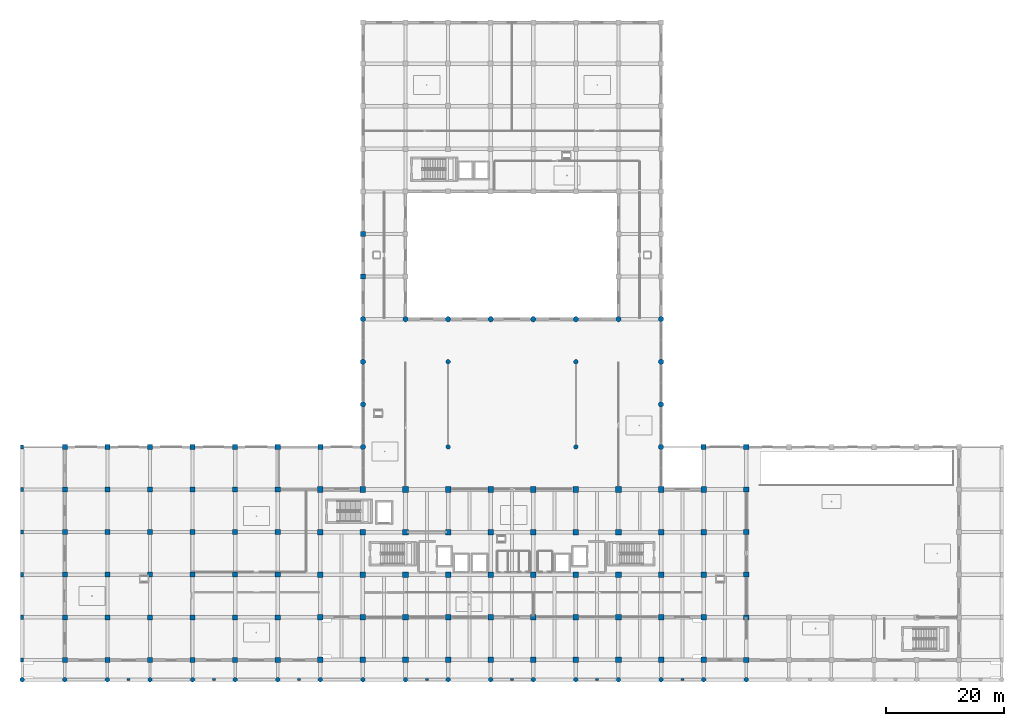
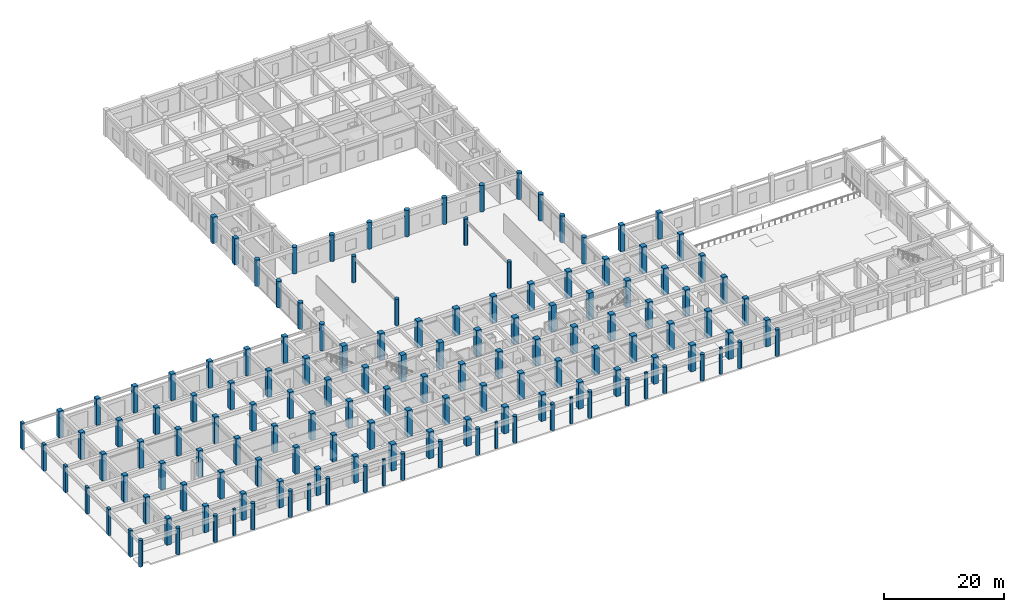
# One storey, part 1 of 56: 145 columns.
"""IFC4 building model written with IfcOpenShell, lengths in metres."""

from ifc_helpers import new_model, si_unit, direction, frame, origin, origin_2d, place, context, subcontext, project, spatial, rectangle, circle, extrude, material, material_profile, profile_set, type_object, element, save


model = new_model("IFC4")

# Units and contexts
model_context = context("Model", 3, precision=1e-05, world=origin(), true_north=direction((0.0, 1.0)))
body_context = subcontext(model_context, "Body", "Model", "MODEL_VIEW")
ifc_project = project(units=[si_unit("LENGTHUNIT", "METRE"), si_unit("AREAUNIT", "SQUARE_METRE"), si_unit("VOLUMEUNIT", "CUBIC_METRE"), si_unit("PLANEANGLEUNIT", "RADIAN"), si_unit("MASSUNIT", "GRAM", prefix="KILO")], contexts=[model_context])

# Site, building, storey
site_placement = place(None, origin())
site = spatial("IfcSite", under=ifc_project, at=site_placement, CompositionType="ELEMENT")
building_placement = place(site_placement, origin())
building = spatial("IfcBuilding", under=site, at=building_placement, Name="Kazehaya Institute of Natural Sciences", CompositionType="ELEMENT")
storey_placement = place(building_placement, origin())
storey = spatial("IfcBuildingStorey", under=building, at=storey_placement, Name="L00", CompositionType="ELEMENT", Elevation=0.0)

# Columns
ifc_material_1 = material(Name="Concrete Fc36", Category="concrete")
ifc_material_profile_1 = material_profile(ifc_material_1, circle(Radius=0.375, at=origin_2d()), Name="RC-DIA750")
ifc_profile_set_1 = profile_set([ifc_material_profile_1], Name="Concrete Fc36")
column_type_1 = type_object("IfcColumnType", Name="COL-DIA750", PredefinedType="COLUMN", material=ifc_profile_set_1)
for number, where, z_axis, x_axis, name in (
    (1, (4.199951171875, 3.449951171875, 0.0), (0.0, 0.0, 1.0), (1.0, 0.0, 0.0), "L00 column COL-L00-0241"),
    (2, (11.39990234375, 3.449951171875, 0.0), (0.0, 0.0, 1.0), (1.0, 0.0, 0.0), "L00 column COL-L00-0242"),
    (3, (18.60009765625, 3.449951171875, 0.0), (0.0, 0.0, 1.0), (1.0, 0.0, 0.0), "L00 column COL-L00-0243"),
    (4, (25.800048828125, 3.449951171875, 0.0), (0.0, 0.0, 1.0), (1.0, 0.0, 0.0), "L00 column COL-L00-0244"),
    (5, (33.0, 3.449951171875, 0.0), (0.0, 0.0, 1.0), (1.0, 0.0, 0.0), "L00 column COL-L00-0245"),
    (6, (40.199951171875, 3.449951171875, 0.0), (0.0, 0.0, 1.0), (1.0, 0.0, 0.0), "L00 column COL-L00-0246"),
    (7, (47.39990234375, 3.449951171875, 0.0), (0.0, 0.0, 1.0), (1.0, 0.0, 0.0), "L00 column COL-L00-0247"),
    (8, (54.60009765625, 3.449951171875, 0.0), (0.0, 0.0, 1.0), (1.0, 0.0, 0.0), "L00 column COL-L00-0248"),
    (9, (61.800048828125, 3.449951171875, 0.0), (0.0, 0.0, 1.0), (1.0, 0.0, 0.0), "L00 column COL-L00-0249"),
    (10, (69.0, 3.449951171875, 0.0), (0.0, 0.0, 1.0), (1.0, 0.0, 0.0), "L00 column COL-L00-0250"),
    (11, (76.199951171875, 3.449951171875, 0.0), (0.0, 0.0, 1.0), (1.0, 0.0, 0.0), "L00 column COL-L00-0251"),
    (12, (83.39990234375, 3.449951171875, 0.0), (0.0, 0.0, 1.0), (1.0, 0.0, 0.0), "L00 column COL-L00-0252"),
    (13, (90.60009765625, 3.449951171875, 0.0), (0.0, 0.0, 1.0), (1.0, 0.0, 0.0), "L00 column COL-L00-0253"),
    (14, (97.800048828125, 3.449951171875, 0.0), (0.0, 0.0, 1.0), (1.0, 0.0, 0.0), "L00 column COL-L00-0254"),
    (15, (105.0, 3.449951171875, 0.0), (0.0, 0.0, 1.0), (1.0, 0.0, 0.0), "L00 column COL-L00-0255"),
    (16, (112.199951171875, 3.449951171875, 0.0), (0.0, 0.0, 1.0), (1.0, 0.0, 0.0), "L00 column COL-L00-0256"),
    (17, (119.39990234375, 3.449951171875, 0.0), (0.0, 0.0, 1.0), (1.0, 0.0, 0.0), "L00 column COL-L00-0257"),
    (18, (126.60009765625, 3.449951171875, 0.0), (0.0, 0.0, 1.0), (1.0, 0.0, 0.0), "L00 column COL-L00-0258"),
    (19, (76.199951171875, 42.800048828125, 0.0), (0.0, 0.0, 1.0), (1.0, 0.0, 0.0), "L00 atrium gallery column 1365"),
    (20, (76.199951171875, 57.199951171875, 0.0), (0.0, 0.0, 1.0), (1.0, 0.0, 0.0), "L00 atrium gallery column 1366"),
    (21, (97.800048828125, 42.800048828125, 0.0), (0.0, 0.0, 1.0), (1.0, 0.0, 0.0), "L00 atrium gallery column 1367"),
    (22, (97.800048828125, 57.199951171875, 0.0), (0.0, 0.0, 1.0), (1.0, 0.0, 0.0), "L00 atrium gallery column 1368"),
):
    element("IfcColumn", number, at=place(storey_placement, frame(where, z_axis=z_axis, x_axis=x_axis)), inside=storey, type_object=column_type_1, Name=name, PredefinedType="COLUMN", context=body_context, shape_type="SweptSolid", body=[
        extrude(circle(Radius=0.375, at=origin_2d()), origin(), (0.0, 0.0, 1.0), 5.39990234375),
    ])
ifc_material_2 = material(Name="Concrete Fc42", Category="concrete")
ifc_material_profile_2 = material_profile(ifc_material_2, circle(Radius=0.449951171875, at=origin_2d()), Name="RC-DIA900")
ifc_profile_set_2 = profile_set([ifc_material_profile_2], Name="Concrete Fc42")
column_type_2 = type_object("IfcColumnType", Name="COL-DIA900", PredefinedType="COLUMN", material=ifc_profile_set_2)
for number, where, z_axis, x_axis, name in (
    (23, (61.800048828125, 42.800048828125, 0.0), (0.0, 0.0, 1.0), (1.0, 0.0, 0.0), "L00 column COL-L00-0381"),
    (24, (112.199951171875, 42.800048828125, 0.0), (0.0, 0.0, 1.0), (1.0, 0.0, 0.0), "L00 column COL-L00-0382"),
    (25, (61.800048828125, 50.0, 0.0), (0.0, 0.0, 1.0), (1.0, 0.0, 0.0), "L00 column COL-L00-0391"),
    (26, (112.199951171875, 50.0, 0.0), (0.0, 0.0, 1.0), (1.0, 0.0, 0.0), "L00 column COL-L00-0392"),
    (27, (61.800048828125, 57.199951171875, 0.0), (0.0, 0.0, 1.0), (1.0, 0.0, 0.0), "L00 column COL-L00-0393"),
    (28, (112.199951171875, 57.199951171875, 0.0), (0.0, 0.0, 1.0), (1.0, 0.0, 0.0), "L00 column COL-L00-0394"),
    (29, (61.800048828125, 64.39990234375, 0.0), (0.0, 0.0, 1.0), (1.0, 0.0, 0.0), "L00 column COL-L00-0395"),
    (30, (69.0, 64.39990234375, 0.0), (0.0, 0.0, 1.0), (1.0, 0.0, 0.0), "L00 column COL-L00-0396"),
    (31, (76.199951171875, 64.39990234375, 0.0), (0.0, 0.0, 1.0), (1.0, 0.0, 0.0), "L00 column COL-L00-0397"),
    (32, (83.39990234375, 64.39990234375, 0.0), (0.0, 0.0, 1.0), (1.0, 0.0, 0.0), "L00 column COL-L00-0398"),
    (33, (90.60009765625, 64.39990234375, 0.0), (0.0, 0.0, 1.0), (1.0, 0.0, 0.0), "L00 column COL-L00-0399"),
    (34, (97.800048828125, 64.39990234375, 0.0), (0.0, 0.0, 1.0), (1.0, 0.0, 0.0), "L00 column COL-L00-0400"),
    (35, (105.0, 64.39990234375, 0.0), (0.0, 0.0, 1.0), (1.0, 0.0, 0.0), "L00 column COL-L00-0401"),
    (36, (112.199951171875, 64.39990234375, 0.0), (0.0, 0.0, 1.0), (1.0, 0.0, 0.0), "L00 column COL-L00-0402"),
):
    element("IfcColumn", number, at=place(storey_placement, frame(where, z_axis=z_axis, x_axis=x_axis)), inside=storey, type_object=column_type_2, Name=name, PredefinedType="COLUMN", context=body_context, shape_type="SweptSolid", body=[
        extrude(circle(Radius=0.449951171875, at=origin_2d()), origin(), (0.0, 0.0, 1.0), 5.39990234375),
    ])
ifc_material_profile_3 = material_profile(ifc_material_1, rectangle(XDim=0.5, YDim=0.699951171875, at=origin_2d()), Name="RC-700x500")
ifc_profile_set_3 = profile_set([ifc_material_profile_3], Name="Concrete Fc36")
column_type_3 = type_object("IfcColumnType", Name="COL-RC700x500", PredefinedType="COLUMN", material=ifc_profile_set_3)
for number, where, z_axis, x_axis, name in (
    (37, (4.199951171875, 6.800048828125, 0.0), (0.0, 0.0, 1.0), (1.0, 0.0, 0.0), "L00 column COL-L00-0265"),
    (38, (4.199951171875, 14.0, 0.0), (0.0, 0.0, 1.0), (1.0, 0.0, 0.0), "L00 column COL-L00-0289"),
    (39, (4.199951171875, 21.199951171875, 0.0), (0.0, 0.0, 1.0), (1.0, 0.0, 0.0), "L00 column COL-L00-0313"),
    (40, (4.199951171875, 28.39990234375, 0.0), (0.0, 0.0, 1.0), (1.0, 0.0, 0.0), "L00 column COL-L00-0333"),
    (41, (4.199951171875, 35.60009765625, 0.0), (0.0, 0.0, 1.0), (1.0, 0.0, 0.0), "L00 column COL-L00-0353"),
    (42, (4.199951171875, 42.800048828125, 0.0), (0.0, 0.0, 1.0), (1.0, 0.0, 0.0), "L00 column COL-L00-0373"),
):
    element("IfcColumn", number, at=place(storey_placement, frame(where, z_axis=z_axis, x_axis=x_axis)), inside=storey, type_object=column_type_3, Name=name, PredefinedType="COLUMN", context=body_context, shape_type="SweptSolid", body=[
        extrude(rectangle(XDim=0.5, YDim=0.699951171875, at=origin_2d()), origin(), (0.0, 0.0, 1.0), 5.39990234375),
    ])
ifc_material_profile_4 = material_profile(ifc_material_2, rectangle(XDim=0.85009765625, YDim=0.85009765625, at=origin_2d()), Name="RC-850x850")
ifc_profile_set_4 = profile_set([ifc_material_profile_4], Name="Concrete Fc42")
column_type_4 = type_object("IfcColumnType", Name="COL-RC850", PredefinedType="COLUMN", material=ifc_profile_set_4)
for number, where, z_axis, x_axis, name in (
    (43, (11.39990234375, 6.800048828125, 0.0), (0.0, 0.0, 1.0), (1.0, 0.0, 0.0), "L00 column COL-L00-0266"),
    (44, (18.60009765625, 6.800048828125, 0.0), (0.0, 0.0, 1.0), (1.0, 0.0, 0.0), "L00 column COL-L00-0267"),
    (45, (25.800048828125, 6.800048828125, 0.0), (0.0, 0.0, 1.0), (1.0, 0.0, 0.0), "L00 column COL-L00-0268"),
    (46, (33.0, 6.800048828125, 0.0), (0.0, 0.0, 1.0), (1.0, 0.0, 0.0), "L00 column COL-L00-0269"),
    (47, (40.199951171875, 6.800048828125, 0.0), (0.0, 0.0, 1.0), (1.0, 0.0, 0.0), "L00 column COL-L00-0270"),
    (48, (47.39990234375, 6.800048828125, 0.0), (0.0, 0.0, 1.0), (1.0, 0.0, 0.0), "L00 column COL-L00-0271"),
    (49, (126.60009765625, 6.800048828125, 0.0), (0.0, 0.0, 1.0), (1.0, 0.0, 0.0), "L00 column COL-L00-0282"),
    (50, (11.39990234375, 14.0, 0.0), (0.0, 0.0, 1.0), (1.0, 0.0, 0.0), "L00 column COL-L00-0290"),
    (51, (18.60009765625, 14.0, 0.0), (0.0, 0.0, 1.0), (1.0, 0.0, 0.0), "L00 column COL-L00-0291"),
    (52, (25.800048828125, 14.0, 0.0), (0.0, 0.0, 1.0), (1.0, 0.0, 0.0), "L00 column COL-L00-0292"),
    (53, (33.0, 14.0, 0.0), (0.0, 0.0, 1.0), (1.0, 0.0, 0.0), "L00 column COL-L00-0293"),
    (54, (40.199951171875, 14.0, 0.0), (0.0, 0.0, 1.0), (1.0, 0.0, 0.0), "L00 column COL-L00-0294"),
    (55, (47.39990234375, 14.0, 0.0), (0.0, 0.0, 1.0), (1.0, 0.0, 0.0), "L00 column COL-L00-0295"),
    (56, (126.60009765625, 14.0, 0.0), (0.0, 0.0, 1.0), (1.0, 0.0, 0.0), "L00 column COL-L00-0306"),
    (57, (11.39990234375, 21.199951171875, 0.0), (0.0, 0.0, 1.0), (1.0, 0.0, 0.0), "L00 column COL-L00-0314"),
    (58, (18.60009765625, 21.199951171875, 0.0), (0.0, 0.0, 1.0), (1.0, 0.0, 0.0), "L00 column COL-L00-0315"),
    (59, (25.800048828125, 21.199951171875, 0.0), (0.0, 0.0, 1.0), (1.0, 0.0, 0.0), "L00 column COL-L00-0316"),
    (60, (33.0, 21.199951171875, 0.0), (0.0, 0.0, 1.0), (1.0, 0.0, 0.0), "L00 column COL-L00-0317"),
    (61, (40.199951171875, 21.199951171875, 0.0), (0.0, 0.0, 1.0), (1.0, 0.0, 0.0), "L00 column COL-L00-0318"),
    (62, (47.39990234375, 21.199951171875, 0.0), (0.0, 0.0, 1.0), (1.0, 0.0, 0.0), "L00 column COL-L00-0319"),
    (63, (126.60009765625, 21.199951171875, 0.0), (0.0, 0.0, 1.0), (1.0, 0.0, 0.0), "L00 column COL-L00-0330"),
    (64, (11.39990234375, 28.39990234375, 0.0), (0.0, 0.0, 1.0), (1.0, 0.0, 0.0), "L00 column COL-L00-0334"),
    (65, (18.60009765625, 28.39990234375, 0.0), (0.0, 0.0, 1.0), (1.0, 0.0, 0.0), "L00 column COL-L00-0335"),
    (66, (25.800048828125, 28.39990234375, 0.0), (0.0, 0.0, 1.0), (1.0, 0.0, 0.0), "L00 column COL-L00-0336"),
    (67, (33.0, 28.39990234375, 0.0), (0.0, 0.0, 1.0), (1.0, 0.0, 0.0), "L00 column COL-L00-0337"),
    (68, (40.199951171875, 28.39990234375, 0.0), (0.0, 0.0, 1.0), (1.0, 0.0, 0.0), "L00 column COL-L00-0338"),
    (69, (47.39990234375, 28.39990234375, 0.0), (0.0, 0.0, 1.0), (1.0, 0.0, 0.0), "L00 column COL-L00-0339"),
    (70, (126.60009765625, 28.39990234375, 0.0), (0.0, 0.0, 1.0), (1.0, 0.0, 0.0), "L00 column COL-L00-0350"),
    (71, (11.39990234375, 35.60009765625, 0.0), (0.0, 0.0, 1.0), (1.0, 0.0, 0.0), "L00 column COL-L00-0354"),
    (72, (18.60009765625, 35.60009765625, 0.0), (0.0, 0.0, 1.0), (1.0, 0.0, 0.0), "L00 column COL-L00-0355"),
    (73, (25.800048828125, 35.60009765625, 0.0), (0.0, 0.0, 1.0), (1.0, 0.0, 0.0), "L00 column COL-L00-0356"),
    (74, (33.0, 35.60009765625, 0.0), (0.0, 0.0, 1.0), (1.0, 0.0, 0.0), "L00 column COL-L00-0357"),
    (75, (40.199951171875, 35.60009765625, 0.0), (0.0, 0.0, 1.0), (1.0, 0.0, 0.0), "L00 column COL-L00-0358"),
    (76, (47.39990234375, 35.60009765625, 0.0), (0.0, 0.0, 1.0), (1.0, 0.0, 0.0), "L00 column COL-L00-0359"),
    (77, (126.60009765625, 35.60009765625, 0.0), (0.0, 0.0, 1.0), (1.0, 0.0, 0.0), "L00 column COL-L00-0370"),
    (78, (11.39990234375, 42.800048828125, 0.0), (0.0, 0.0, 1.0), (1.0, 0.0, 0.0), "L00 column COL-L00-0374"),
    (79, (18.60009765625, 42.800048828125, 0.0), (0.0, 0.0, 1.0), (1.0, 0.0, 0.0), "L00 column COL-L00-0375"),
    (80, (25.800048828125, 42.800048828125, 0.0), (0.0, 0.0, 1.0), (1.0, 0.0, 0.0), "L00 column COL-L00-0376"),
    (81, (33.0, 42.800048828125, 0.0), (0.0, 0.0, 1.0), (1.0, 0.0, 0.0), "L00 column COL-L00-0377"),
    (82, (40.199951171875, 42.800048828125, 0.0), (0.0, 0.0, 1.0), (1.0, 0.0, 0.0), "L00 column COL-L00-0378"),
    (83, (47.39990234375, 42.800048828125, 0.0), (0.0, 0.0, 1.0), (1.0, 0.0, 0.0), "L00 column COL-L00-0379"),
    (84, (54.60009765625, 42.800048828125, 0.0), (0.0, 0.0, 1.0), (1.0, 0.0, 0.0), "L00 column COL-L00-0380"),
    (85, (119.39990234375, 42.800048828125, 0.0), (0.0, 0.0, 1.0), (1.0, 0.0, 0.0), "L00 column COL-L00-0383"),
    (86, (126.60009765625, 42.800048828125, 0.0), (0.0, 0.0, 1.0), (1.0, 0.0, 0.0), "L00 column COL-L00-0384"),
    (87, (61.800048828125, 71.60009765625, 0.0), (0.0, 0.0, 1.0), (1.0, 0.0, 0.0), "L00 column COL-L00-0403"),
    (88, (61.800048828125, 78.800048828125, 0.0), (0.0, 0.0, 1.0), (1.0, 0.0, 0.0), "L00 column COL-L00-0407"),
):
    element("IfcColumn", number, at=place(storey_placement, frame(where, z_axis=z_axis, x_axis=x_axis)), inside=storey, type_object=column_type_4, Name=name, PredefinedType="COLUMN", context=body_context, shape_type="SweptSolid", body=[
        extrude(rectangle(XDim=0.85009765625, YDim=0.85009765625, at=origin_2d()), origin(), (0.0, 0.0, 1.0), 5.39990234375),
    ])
ifc_material_profile_5 = material_profile(ifc_material_2, rectangle(XDim=0.949951171875, YDim=0.949951171875, at=origin_2d()), Name="RC-950x950")
ifc_profile_set_5 = profile_set([ifc_material_profile_5], Name="Concrete Fc42")
column_type_5 = type_object("IfcColumnType", Name="COL-RC950", PredefinedType="COLUMN", material=ifc_profile_set_5)
for number, where, z_axis, x_axis, name in (
    (89, (54.60009765625, 6.800048828125, 0.0), (0.0, 0.0, 1.0), (1.0, 0.0, 0.0), "L00 column COL-L00-0272"),
    (90, (61.800048828125, 6.800048828125, 0.0), (0.0, 0.0, 1.0), (1.0, 0.0, 0.0), "L00 column COL-L00-0273"),
    (91, (69.0, 6.800048828125, 0.0), (0.0, 0.0, 1.0), (1.0, 0.0, 0.0), "L00 column COL-L00-0274"),
    (92, (76.199951171875, 6.800048828125, 0.0), (0.0, 0.0, 1.0), (1.0, 0.0, 0.0), "L00 column COL-L00-0275"),
    (93, (83.39990234375, 6.800048828125, 0.0), (0.0, 0.0, 1.0), (1.0, 0.0, 0.0), "L00 column COL-L00-0276"),
    (94, (90.60009765625, 6.800048828125, 0.0), (0.0, 0.0, 1.0), (1.0, 0.0, 0.0), "L00 column COL-L00-0277"),
    (95, (97.800048828125, 6.800048828125, 0.0), (0.0, 0.0, 1.0), (1.0, 0.0, 0.0), "L00 column COL-L00-0278"),
    (96, (105.0, 6.800048828125, 0.0), (0.0, 0.0, 1.0), (1.0, 0.0, 0.0), "L00 column COL-L00-0279"),
    (97, (112.199951171875, 6.800048828125, 0.0), (0.0, 0.0, 1.0), (1.0, 0.0, 0.0), "L00 column COL-L00-0280"),
    (98, (119.39990234375, 6.800048828125, 0.0), (0.0, 0.0, 1.0), (1.0, 0.0, 0.0), "L00 column COL-L00-0281"),
    (99, (54.60009765625, 14.0, 0.0), (0.0, 0.0, 1.0), (1.0, 0.0, 0.0), "L00 column COL-L00-0296"),
    (100, (61.800048828125, 14.0, 0.0), (0.0, 0.0, 1.0), (1.0, 0.0, 0.0), "L00 column COL-L00-0297"),
    (101, (69.0, 14.0, 0.0), (0.0, 0.0, 1.0), (1.0, 0.0, 0.0), "L00 column COL-L00-0298"),
    (102, (76.199951171875, 14.0, 0.0), (0.0, 0.0, 1.0), (1.0, 0.0, 0.0), "L00 column COL-L00-0299"),
    (103, (83.39990234375, 14.0, 0.0), (0.0, 0.0, 1.0), (1.0, 0.0, 0.0), "L00 column COL-L00-0300"),
    (104, (90.60009765625, 14.0, 0.0), (0.0, 0.0, 1.0), (1.0, 0.0, 0.0), "L00 column COL-L00-0301"),
    (105, (97.800048828125, 14.0, 0.0), (0.0, 0.0, 1.0), (1.0, 0.0, 0.0), "L00 column COL-L00-0302"),
    (106, (105.0, 14.0, 0.0), (0.0, 0.0, 1.0), (1.0, 0.0, 0.0), "L00 column COL-L00-0303"),
    (107, (112.199951171875, 14.0, 0.0), (0.0, 0.0, 1.0), (1.0, 0.0, 0.0), "L00 column COL-L00-0304"),
    (108, (119.39990234375, 14.0, 0.0), (0.0, 0.0, 1.0), (1.0, 0.0, 0.0), "L00 column COL-L00-0305"),
    (109, (54.60009765625, 21.199951171875, 0.0), (0.0, 0.0, 1.0), (1.0, 0.0, 0.0), "L00 column COL-L00-0320"),
    (110, (61.800048828125, 21.199951171875, 0.0), (0.0, 0.0, 1.0), (1.0, 0.0, 0.0), "L00 column COL-L00-0321"),
    (111, (69.0, 21.199951171875, 0.0), (0.0, 0.0, 1.0), (1.0, 0.0, 0.0), "L00 column COL-L00-0322"),
    (112, (76.199951171875, 21.199951171875, 0.0), (0.0, 0.0, 1.0), (1.0, 0.0, 0.0), "L00 column COL-L00-0323"),
    (113, (83.39990234375, 21.199951171875, 0.0), (0.0, 0.0, 1.0), (1.0, 0.0, 0.0), "L00 column COL-L00-0324"),
    (114, (90.60009765625, 21.199951171875, 0.0), (0.0, 0.0, 1.0), (1.0, 0.0, 0.0), "L00 column COL-L00-0325"),
    (115, (97.800048828125, 21.199951171875, 0.0), (0.0, 0.0, 1.0), (1.0, 0.0, 0.0), "L00 column COL-L00-0326"),
    (116, (105.0, 21.199951171875, 0.0), (0.0, 0.0, 1.0), (1.0, 0.0, 0.0), "L00 column COL-L00-0327"),
    (117, (112.199951171875, 21.199951171875, 0.0), (0.0, 0.0, 1.0), (1.0, 0.0, 0.0), "L00 column COL-L00-0328"),
    (118, (119.39990234375, 21.199951171875, 0.0), (0.0, 0.0, 1.0), (1.0, 0.0, 0.0), "L00 column COL-L00-0329"),
    (119, (54.60009765625, 28.39990234375, 0.0), (0.0, 0.0, 1.0), (1.0, 0.0, 0.0), "L00 column COL-L00-0340"),
    (120, (61.800048828125, 28.39990234375, 0.0), (0.0, 0.0, 1.0), (1.0, 0.0, 0.0), "L00 column COL-L00-0341"),
    (121, (69.0, 28.39990234375, 0.0), (0.0, 0.0, 1.0), (1.0, 0.0, 0.0), "L00 column COL-L00-0342"),
    (122, (76.199951171875, 28.39990234375, 0.0), (0.0, 0.0, 1.0), (1.0, 0.0, 0.0), "L00 column COL-L00-0343"),
    (123, (83.39990234375, 28.39990234375, 0.0), (0.0, 0.0, 1.0), (1.0, 0.0, 0.0), "L00 column COL-L00-0344"),
    (124, (90.60009765625, 28.39990234375, 0.0), (0.0, 0.0, 1.0), (1.0, 0.0, 0.0), "L00 column COL-L00-0345"),
    (125, (97.800048828125, 28.39990234375, 0.0), (0.0, 0.0, 1.0), (1.0, 0.0, 0.0), "L00 column COL-L00-0346"),
    (126, (105.0, 28.39990234375, 0.0), (0.0, 0.0, 1.0), (1.0, 0.0, 0.0), "L00 column COL-L00-0347"),
    (127, (112.199951171875, 28.39990234375, 0.0), (0.0, 0.0, 1.0), (1.0, 0.0, 0.0), "L00 column COL-L00-0348"),
    (128, (119.39990234375, 28.39990234375, 0.0), (0.0, 0.0, 1.0), (1.0, 0.0, 0.0), "L00 column COL-L00-0349"),
    (129, (54.60009765625, 35.60009765625, 0.0), (0.0, 0.0, 1.0), (1.0, 0.0, 0.0), "L00 column COL-L00-0360"),
    (130, (61.800048828125, 35.60009765625, 0.0), (0.0, 0.0, 1.0), (1.0, 0.0, 0.0), "L00 column COL-L00-0361"),
    (131, (69.0, 35.60009765625, 0.0), (0.0, 0.0, 1.0), (1.0, 0.0, 0.0), "L00 column COL-L00-0362"),
    (132, (76.199951171875, 35.60009765625, 0.0), (0.0, 0.0, 1.0), (1.0, 0.0, 0.0), "L00 column COL-L00-0363"),
    (133, (83.39990234375, 35.60009765625, 0.0), (0.0, 0.0, 1.0), (1.0, 0.0, 0.0), "L00 column COL-L00-0364"),
    (134, (90.60009765625, 35.60009765625, 0.0), (0.0, 0.0, 1.0), (1.0, 0.0, 0.0), "L00 column COL-L00-0365"),
    (135, (97.800048828125, 35.60009765625, 0.0), (0.0, 0.0, 1.0), (1.0, 0.0, 0.0), "L00 column COL-L00-0366"),
    (136, (105.0, 35.60009765625, 0.0), (0.0, 0.0, 1.0), (1.0, 0.0, 0.0), "L00 column COL-L00-0367"),
    (137, (112.199951171875, 35.60009765625, 0.0), (0.0, 0.0, 1.0), (1.0, 0.0, 0.0), "L00 column COL-L00-0368"),
    (138, (119.39990234375, 35.60009765625, 0.0), (0.0, 0.0, 1.0), (1.0, 0.0, 0.0), "L00 column COL-L00-0369"),
):
    element("IfcColumn", number, at=place(storey_placement, frame(where, z_axis=z_axis, x_axis=x_axis)), inside=storey, type_object=column_type_5, Name=name, PredefinedType="COLUMN", context=body_context, shape_type="SweptSolid", body=[
        extrude(rectangle(XDim=0.949951171875, YDim=0.949951171875, at=origin_2d()), origin(), (0.0, 0.0, 1.0), 5.39990234375),
    ])
ifc_material_3 = material(Name="Precast concrete Fc36", Category="concrete")
ifc_material_profile_6 = material_profile(ifc_material_3, rectangle(XDim=0.5, YDim=0.35009765625, at=origin_2d()), Name="RC-PIL-500x350")
ifc_profile_set_6 = profile_set([ifc_material_profile_6], Name="Precast concrete Fc36")
column_type_6 = type_object("IfcColumnType", Name="PIL-500x350", PredefinedType="PILASTER", material=ifc_profile_set_6)
for number, where, z_axis, x_axis, name in (
    (139, (22.199951171875, 3.449951171875, 0.0), (0.0, 0.0, 1.0), (1.0, 0.0, 0.0), "L00 Neoclassical colonnade pilaster PIL-L00-011"),
    (140, (36.60009765625, 3.449951171875, 0.0), (0.0, 0.0, 1.0), (1.0, 0.0, 0.0), "L00 Neoclassical colonnade pilaster PIL-L00-012"),
    (141, (51.0, 3.449951171875, 0.0), (0.0, 0.0, 1.0), (1.0, 0.0, 0.0), "L00 Neoclassical colonnade pilaster PIL-L00-013"),
    (142, (72.60009765625, 3.449951171875, 0.0), (0.0, 0.0, 1.0), (1.0, 0.0, 0.0), "L00 Neoclassical colonnade pilaster PIL-L00-014"),
    (143, (87.0, 3.449951171875, 0.0), (0.0, 0.0, 1.0), (1.0, 0.0, 0.0), "L00 Neoclassical colonnade pilaster PIL-L00-015"),
    (144, (101.39990234375, 3.449951171875, 0.0), (0.0, 0.0, 1.0), (1.0, 0.0, 0.0), "L00 Neoclassical colonnade pilaster PIL-L00-016"),
    (145, (115.800048828125, 3.449951171875, 0.0), (0.0, 0.0, 1.0), (1.0, 0.0, 0.0), "L00 Neoclassical colonnade pilaster PIL-L00-017"),
):
    element("IfcColumn", number, at=place(storey_placement, frame(where, z_axis=z_axis, x_axis=x_axis)), inside=storey, type_object=column_type_6, Name=name, PredefinedType="PILASTER", context=body_context, shape_type="SweptSolid", body=[
        extrude(rectangle(XDim=0.5, YDim=0.35009765625, at=origin_2d()), origin(), (0.0, 0.0, 1.0), 5.39990234375),
    ])

save(model, "model.ifc")
